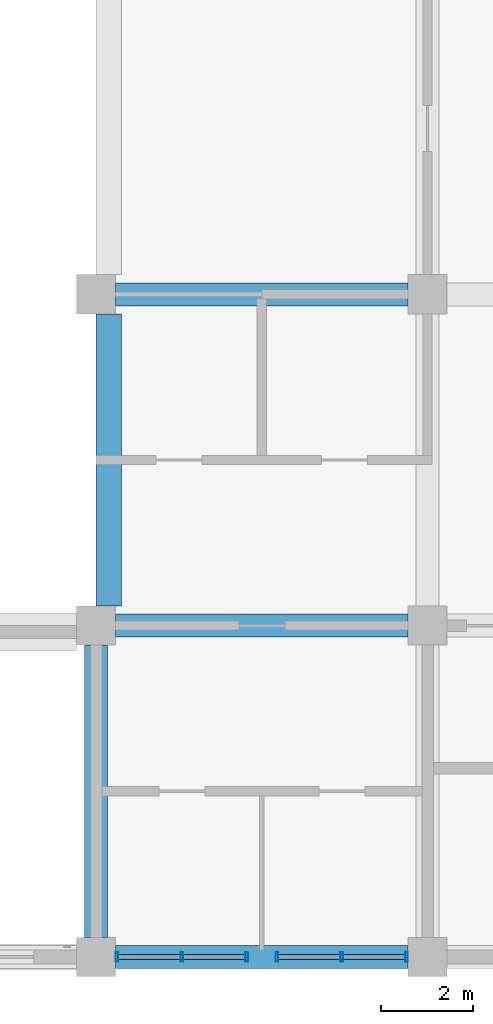
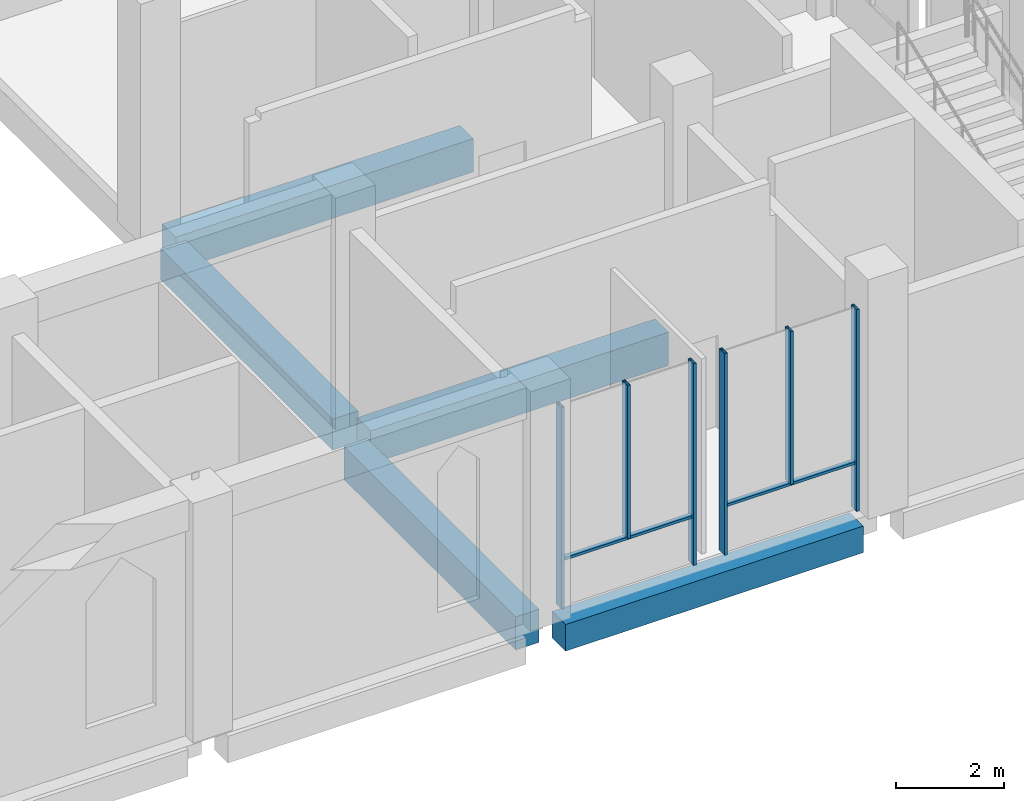
# One storey, part 12 of 48: 8 members, 5 beams, 2 elements without a shape of their own.
"""IFC4 building model written with IfcOpenShell, lengths in metres."""

from ifc_helpers import new_model, si_unit, direction, frame, origin, origin_2d, place, context, subcontext, project, spatial, rectangle, hollow_rectangle, extrude, material, material_profile, profile_set, type_object, element, aggregate, save


model = new_model("IFC4")

# Units and contexts
model_context = context("Model", 3, precision=1e-05, world=origin(), true_north=direction((0.0, 1.0)))
body_context = subcontext(model_context, "Body", "Model", "MODEL_VIEW")
ifc_project = project(units=[si_unit("LENGTHUNIT", "METRE"), si_unit("AREAUNIT", "SQUARE_METRE"), si_unit("VOLUMEUNIT", "CUBIC_METRE"), si_unit("PLANEANGLEUNIT", "RADIAN"), si_unit("MASSUNIT", "GRAM", prefix="KILO")], contexts=[model_context])

# Site, building, storey
site_placement = place(None, origin())
site = spatial("IfcSite", under=ifc_project, at=site_placement, CompositionType="ELEMENT")
building_placement = place(site_placement, origin())
building = spatial("IfcBuilding", under=site, at=building_placement, Name="Silangan Lancet Faculty of Sciences", CompositionType="ELEMENT")
storey_placement = place(building_placement, frame((0.0, 0.0, 6.0)))
storey = spatial("IfcBuildingStorey", under=building, at=storey_placement, Name="L01", CompositionType="ELEMENT", Elevation=6.0)

# Beams
ifc_material_1 = material(Name="Concrete C40/50", Category="concrete")
ifc_material_profile_1 = material_profile(ifc_material_1, rectangle(XDim=0.5, YDim=0.60009765625, at=origin_2d()), Name="RC 500x600")
ifc_profile_set_1 = profile_set([ifc_material_profile_1], Name="Concrete C40/50")
beam_type_1 = type_object("IfcBeamType", Name="BEAM RC 500x600", PredefinedType="BEAM", material=ifc_profile_set_1)
beam_1_placement = place(storey_placement, frame((72.425048828125, 0.0, -0.550048828125), z_axis=(1.0, 0.0, 0.0), x_axis=(0.0, 1.0, 0.0)))
element("IfcBeam", 1, at=beam_1_placement, inside=storey, type_object=beam_type_1, Name="BM-L01-11A-12A", PredefinedType="BEAM", context=body_context, shape_type="SweptSolid", body=[
    extrude(rectangle(XDim=0.5, YDim=0.60009765625, at=origin_2d()), origin(), (0.0, 0.0, 1.0), 6.349853515625),
])
ifc_material_2 = material(Name="Concrete C40/50", Category="concrete")
ifc_material_profile_2 = material_profile(ifc_material_2, rectangle(XDim=0.5, YDim=0.75, at=origin_2d()), Name="RC 500x750")
ifc_profile_set_2 = profile_set([ifc_material_profile_2], Name="Concrete C40/50")
beam_type_2 = type_object("IfcBeamType", Name="BEAM RC 500x750", PredefinedType="BEAM", material=ifc_profile_set_2)
for number, where, z_axis, x_axis, name in (
    (2, (72.425048828125, 7.199951171875, -0.625), (1.0, 0.0, 0.0), (0.0, 1.0, 0.0), "BM-L01-11B-12B"),
    (3, (72.425048828125, 14.39990234375, -0.625), (1.0, 0.0, 0.0), (0.0, 1.0, 0.0), "BM-L01-11C-12C"),
    (4, (72.0, 0.425048828125, -0.625), (0.0, 1.0, 0.0), (-1.0, 0.0, 0.0), "BM-L01-11A-11B"),
):
    element("IfcBeam", number, at=place(storey_placement, frame(where, z_axis=z_axis, x_axis=x_axis)), inside=storey, type_object=beam_type_2, Name=name, PredefinedType="BEAM", context=body_context, shape_type="SweptSolid", body=[
        extrude(rectangle(XDim=0.5, YDim=0.75, at=origin_2d()), origin(), (0.0, 0.0, 1.0), 6.349853515625),
    ])
ifc_material_3 = material(Name="Concrete C40/50", Category="concrete")
ifc_material_profile_3 = material_profile(ifc_material_3, rectangle(XDim=0.550048828125, YDim=0.699951171875, at=origin_2d()), Name="RC 550x700")
ifc_profile_set_3 = profile_set([ifc_material_profile_3], Name="Concrete C40/50")
beam_type_3 = type_object("IfcBeamType", Name="BEAM RC 550x700", PredefinedType="BEAM", material=ifc_profile_set_3)
beam_2_placement = place(storey_placement, frame((72.27490234375, 7.625, -0.60009765625), z_axis=(0.0, 1.0, 0.0), x_axis=(-1.0, 0.0, 0.0)))
element("IfcBeam", 5, at=beam_2_placement, inside=storey, type_object=beam_type_3, Name="BM-L01-11B-11C", PredefinedType="BEAM", context=body_context, shape_type="SweptSolid", body=[
    extrude(rectangle(XDim=0.550048828125, YDim=0.699951171875, at=origin_2d()), origin(), (0.0, 0.0, 1.0), 6.35009765625),
])

# Curtain wall, members
ifc_material_4 = material(Name="Aluminium framed curtain wall with insulated glass", Category="aluminium")
curtain_wall_type = type_object("IfcCurtainWallType", Name="CW1 Commons and east block glazing", PredefinedType="NOTDEFINED", material=ifc_material_4)
curtain_wall_1_placement = place(storey_placement, origin())
curtain_wall_1 = element("IfcCurtainWall", 6, at=curtain_wall_1_placement, inside=storey, type_object=curtain_wall_type, Name="CW1 East block south L01 bay 1", PredefinedType="NOTDEFINED")
ifc_material_5 = material(Name="Aluminium 6063-T6 extrusion", Category="aluminium")
ifc_material_profile_4 = material_profile(ifc_material_5, hollow_rectangle(XDim=0.06005859375, YDim=0.199951171875, WallThickness=0.00390625, at=origin_2d()), Name="AL BOX 60x200x4")
ifc_profile_set_4 = profile_set([ifc_material_profile_4], Name="Aluminium 6063-T6 extrusion")
member_type_1 = type_object("IfcMemberType", Name="CM1 Mullion 60x200", PredefinedType="MULLION", material=ifc_profile_set_4)
member_1_placement = place(storey_placement, frame((72.455078125, 0.0, 0.0), z_axis=(0.0, 0.0, 1.0), x_axis=(1.0, 0.0, 0.0)))
member_1 = element("IfcMember", 7, at=member_1_placement, type_object=member_type_1, Name="CW1 East block south L01 bay 1 mullion 1", PredefinedType="MULLION", context=body_context, shape_type="SweptSolid", body=[
    extrude(hollow_rectangle(XDim=0.06005859375, YDim=0.199951171875, WallThickness=0.00390625, at=origin_2d()), origin(), (0.0, 0.0, 1.0), 4.550048828125),
])
member_2_placement = place(storey_placement, frame((75.27001953125, 0.0, 0.0), z_axis=(0.0, 0.0, 1.0), x_axis=(1.0, 0.0, 0.0)))
member_2 = element("IfcMember", 8, at=member_2_placement, type_object=member_type_1, Name="CW1 East block south L01 bay 1 mullion 2", PredefinedType="MULLION", context=body_context, shape_type="SweptSolid", body=[
    extrude(hollow_rectangle(XDim=0.06005859375, YDim=0.199951171875, WallThickness=0.00390625, at=origin_2d()), origin(), (0.0, 0.0, 1.0), 4.550048828125),
])
member_3_placement = place(storey_placement, frame((73.862548828125, 0.0, 1.10009765625), z_axis=(0.0, 0.0, 1.0), x_axis=(1.0, 0.0, 0.0)))
member_3 = element("IfcMember", 9, at=member_3_placement, type_object=member_type_1, Name="CW1 East block south L01 bay 1 mullion 3", PredefinedType="MULLION", context=body_context, shape_type="SweptSolid", body=[
    extrude(hollow_rectangle(XDim=0.06005859375, YDim=0.199951171875, WallThickness=0.00390625, at=origin_2d()), origin(), (0.0, 0.0, 1.0), 3.449951171875),
])

curtain_wall_2_placement = place(storey_placement, origin())
curtain_wall_2 = element("IfcCurtainWall", 10, at=curtain_wall_2_placement, inside=storey, type_object=curtain_wall_type, Name="CW1 East block south L01 bay 2", PredefinedType="NOTDEFINED")
member_4_placement = place(storey_placement, frame((75.93017578125, 0.0, 0.0), z_axis=(0.0, 0.0, 1.0), x_axis=(1.0, 0.0, 0.0)))
member_4 = element("IfcMember", 11, at=member_4_placement, type_object=member_type_1, Name="CW1 East block south L01 bay 2 mullion 1", PredefinedType="MULLION", context=body_context, shape_type="SweptSolid", body=[
    extrude(hollow_rectangle(XDim=0.06005859375, YDim=0.199951171875, WallThickness=0.00390625, at=origin_2d()), origin(), (0.0, 0.0, 1.0), 4.550048828125),
])
member_5_placement = place(storey_placement, frame((78.7451171875, 0.0, 0.0), z_axis=(0.0, 0.0, 1.0), x_axis=(1.0, 0.0, 0.0)))
member_5 = element("IfcMember", 12, at=member_5_placement, type_object=member_type_1, Name="CW1 East block south L01 bay 2 mullion 2", PredefinedType="MULLION", context=body_context, shape_type="SweptSolid", body=[
    extrude(hollow_rectangle(XDim=0.06005859375, YDim=0.199951171875, WallThickness=0.00390625, at=origin_2d()), origin(), (0.0, 0.0, 1.0), 4.550048828125),
])
member_6_placement = place(storey_placement, frame((77.337646484375, 0.0, 1.10009765625), z_axis=(0.0, 0.0, 1.0), x_axis=(1.0, 0.0, 0.0)))
member_6 = element("IfcMember", 13, at=member_6_placement, type_object=member_type_1, Name="CW1 East block south L01 bay 2 mullion 3", PredefinedType="MULLION", context=body_context, shape_type="SweptSolid", body=[
    extrude(hollow_rectangle(XDim=0.06005859375, YDim=0.199951171875, WallThickness=0.00390625, at=origin_2d()), origin(), (0.0, 0.0, 1.0), 3.449951171875),
])

# Member
ifc_material_6 = material(Name="Aluminium 6063-T6 extrusion", Category="aluminium")
ifc_material_profile_5 = material_profile(ifc_material_6, hollow_rectangle(XDim=0.10009765625, YDim=0.06005859375, WallThickness=0.0029296875, at=origin_2d()), Name="AL BOX 100x60x3")
ifc_profile_set_5 = profile_set([ifc_material_profile_5], Name="Aluminium 6063-T6 extrusion")
member_type_2 = type_object("IfcMemberType", Name="CT1 Transom 100x60", PredefinedType="USERDEFINED", material=ifc_profile_set_5)
member_7_placement = place(storey_placement, frame((72.485107421875, 0.0, 1.070068359375), z_axis=(1.0, 0.0, 0.0), x_axis=(0.0, 1.0, 0.0)))
member_7 = element("IfcMember", 14, at=member_7_placement, type_object=member_type_2, Name="CW1 East block south L01 bay 1 transom 1", ObjectType="TRANSOM", PredefinedType="USERDEFINED", context=body_context, shape_type="SweptSolid", body=[
    extrude(hollow_rectangle(XDim=0.10009765625, YDim=0.06005859375, WallThickness=0.0029296875, at=origin_2d()), origin(), (0.0, 0.0, 1.0), 2.7548828125),
])

aggregate(curtain_wall_1, [member_1, member_2, member_3, member_7])

member_8_placement = place(storey_placement, frame((75.960205078125, 0.0, 1.070068359375), z_axis=(1.0, 0.0, 0.0), x_axis=(0.0, 1.0, 0.0)))
member_8 = element("IfcMember", 15, at=member_8_placement, type_object=member_type_2, Name="CW1 East block south L01 bay 2 transom 1", ObjectType="TRANSOM", PredefinedType="USERDEFINED", context=body_context, shape_type="SweptSolid", body=[
    extrude(hollow_rectangle(XDim=0.10009765625, YDim=0.06005859375, WallThickness=0.0029296875, at=origin_2d()), origin(), (0.0, 0.0, 1.0), 2.7548828125),
])

aggregate(curtain_wall_2, [member_4, member_5, member_6, member_8])

save(model, "model.ifc")
